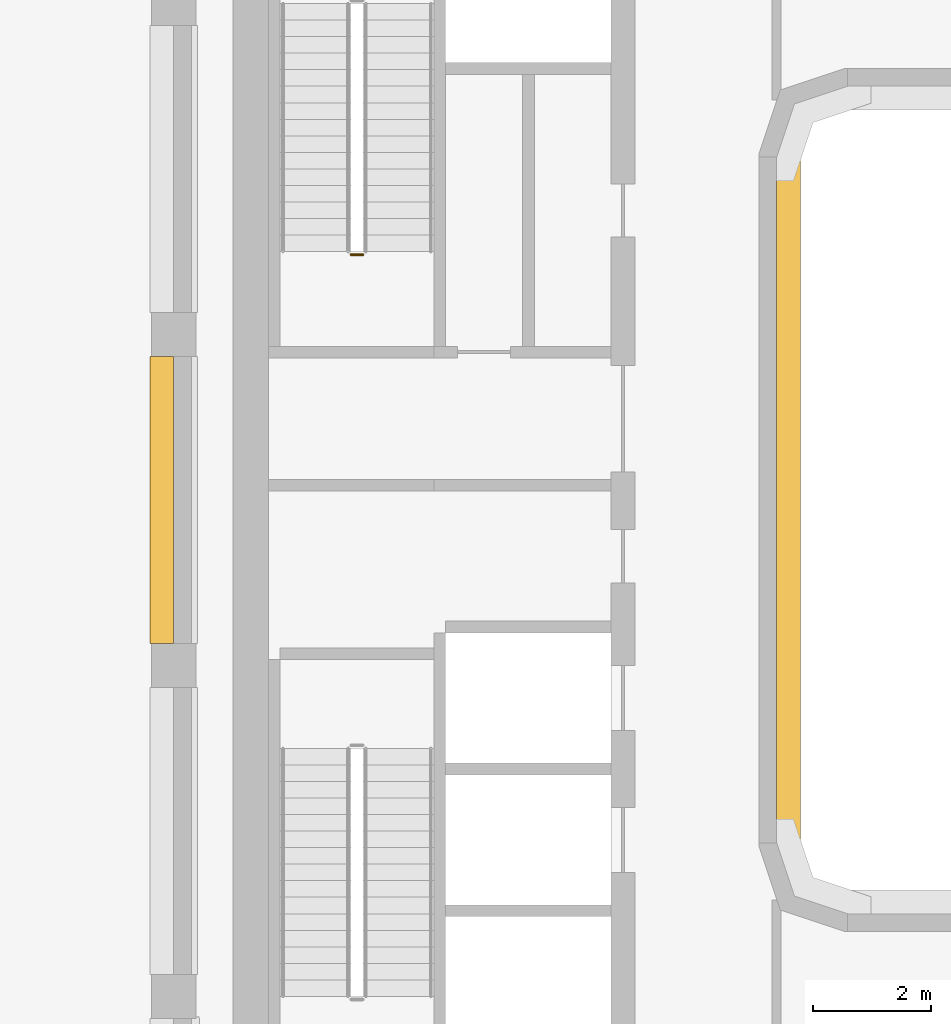
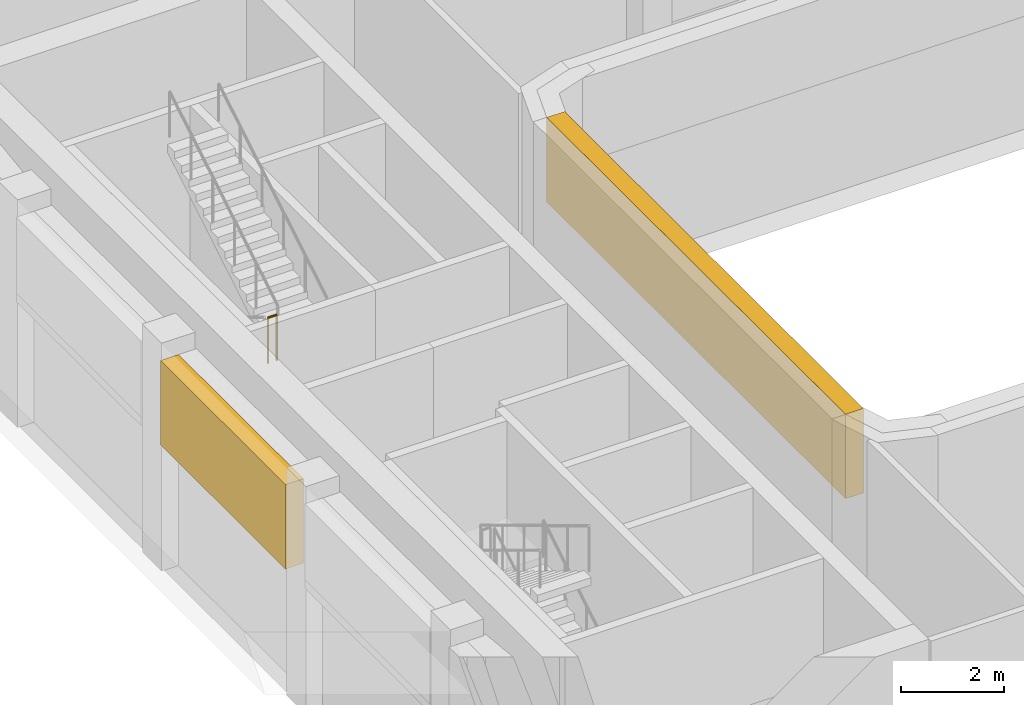
# One storey, part 12 of 17: 2 coverings, 1 railing.
"""IFC4 building model written with IfcOpenShell, lengths in metres."""

import ifcopenshell
import ifcopenshell.guid

model = None  # the IFC model being written
_history = None  # IfcOwnerHistory: only IFC2X3 demands one
_inside = {}  # id of a spatial element -> (the spatial element, [elements in it])
_under = {}  # id of a project, library or spatial element -> (it, [spatial elements below it])
_declared = {}  # id of a project -> (the project, [libraries it declares])
_typed = {}  # id of a type object -> (the type object, [elements of that type])
_made_of = {}  # id of a material, layer set ... -> (it, [elements and type objects made of it])


def new_model(schema):
    """Start an empty IFC model of exactly this schema.

    Asked for "IFC4X3", IfcOpenShell would pick the latest addendum, in which some entities
    have other attributes; the version numbers below select the first issue.
    IFC2X3 requires an IfcOwnerHistory on every rooted entity: one is made here for all.
    """
    global model, _history
    if schema == "IFC4X3":
        model = ifcopenshell.file(schema_version=(4, 3, 0, 0))
    else:
        model = ifcopenshell.file(schema=schema)
    _inside.clear()
    _under.clear()
    _declared.clear()
    _typed.clear()
    _made_of.clear()
    _history = None
    if model.schema == "IFC2X3":
        org = make("IfcOrganization", Name="unknown")
        user = make(
            "IfcPersonAndOrganization",
            ThePerson=make("IfcPerson", FamilyName="unknown"),
            TheOrganization=org,
        )
        app = make(
            "IfcApplication",
            ApplicationDeveloper=org,
            Version="unknown",
            ApplicationFullName="unknown",
            ApplicationIdentifier="unknown",
        )
        _history = make(
            "IfcOwnerHistory",
            OwningUser=user,
            OwningApplication=app,
            ChangeAction="ADDED",
            CreationDate=0,
        )
    return model


def make(cls, **values):
    """One entity of the class cls with the attributes given. An attribute that is None is left unset."""
    return model.create_entity(
        cls, **{name: value for name, value in values.items() if value is not None}
    )


def rooted(cls, **values):
    """An entity with a GlobalId (a new one), such as an element, a storey or a relation."""
    return make(cls, GlobalId=ifcopenshell.guid.new(), OwnerHistory=_history, **values)


def si_unit(unit_type, name, prefix=None):
    """IfcSIUnit, for example si_unit("LENGTHUNIT", "METRE", prefix="MILLI")."""
    return make("IfcSIUnit", UnitType=unit_type, Prefix=prefix, Name=name)


def assignment(units):
    """IfcUnitAssignment: the units of a project."""
    return None if units is None else make("IfcUnitAssignment", Units=units)


def point(xyz):
    """IfcCartesianPoint."""
    return None if xyz is None else make("IfcCartesianPoint", Coordinates=xyz)


def direction(xyz):
    """IfcDirection."""
    return None if xyz is None else make("IfcDirection", DirectionRatios=xyz)


def frame(location, z_axis=None, x_axis=None):
    """IfcAxis2Placement3D, a coordinate frame: its origin and axes. An axis left out is left unset."""
    return make(
        "IfcAxis2Placement3D",
        Location=point(location),
        Axis=direction(z_axis),
        RefDirection=direction(x_axis),
    )


def frame_2d(location, x_axis=None):
    """IfcAxis2Placement2D, a coordinate frame in the plane: its origin and x axis."""
    return make(
        "IfcAxis2Placement2D", Location=point(location), RefDirection=direction(x_axis)
    )


def origin():
    """The frame at (0, 0, 0) with its axes left unset."""
    return frame((0.0, 0.0, 0.0))


def origin_2d():
    """The frame at (0, 0) in the plane with its x axis left unset."""
    return frame_2d((0.0, 0.0))


def place(relative_to, where):
    """IfcLocalPlacement: puts the frame where relative to a parent placement (None: the world)."""
    return make(
        "IfcLocalPlacement", PlacementRelTo=relative_to, RelativePlacement=where
    )


def context(
    kind, dimensions, precision=None, world=None, true_north=None, identifier=None
):
    """IfcGeometricRepresentationContext, for example the 3D "Model" context."""
    return make(
        "IfcGeometricRepresentationContext",
        ContextIdentifier=identifier,
        ContextType=kind,
        CoordinateSpaceDimension=dimensions,
        Precision=precision,
        WorldCoordinateSystem=world,
        TrueNorth=true_north,
    )


def subcontext(parent, identifier, kind, view, scale=None):
    """IfcGeometricRepresentationSubContext, for example "Body" below "Model"."""
    return make(
        "IfcGeometricRepresentationSubContext",
        ContextIdentifier=identifier,
        ContextType=kind,
        ParentContext=parent,
        TargetScale=scale,
        TargetView=view,
    )


def project(units=None, contexts=None):
    """IfcProject with its units and contexts."""
    return rooted(
        "IfcProject",
        Name="project",
        RepresentationContexts=contexts,
        UnitsInContext=assignment(units),
    )


def spatial(cls, under=None, at=None, **own):
    """A site, building, storey or space (cls), placed at a placement, below another one or the project."""
    s = rooted(cls, ObjectPlacement=at, **own)
    if under is not None:
        _under.setdefault(under.id(), (under, []))[1].append(s)
    return s


def profile(cls, at=None, kind="AREA", **sizes):
    """A parametric profile (cls). Its sizes go by their IFC names, for example OverallWidth=200.0."""
    return make(cls, ProfileType=kind, Position=at, **sizes)


def rectangle(**sizes):
    """IfcRectangleProfileDef."""
    return profile("IfcRectangleProfileDef", **sizes)


def circle(**sizes):
    """IfcCircleProfileDef."""
    return profile("IfcCircleProfileDef", **sizes)


def extrude(swept, where, along, depth):
    """IfcExtrudedAreaSolid: the profile swept, set in the frame where, extruded along a direction by depth."""
    return make(
        "IfcExtrudedAreaSolid",
        SweptArea=swept,
        Position=where,
        ExtrudedDirection=direction(along),
        Depth=depth,
    )


def shape(context_of_items, identifier, shape_type, items):
    """IfcShapeRepresentation: the items that make up one representation, for example the "Body"."""
    return make(
        "IfcShapeRepresentation",
        ContextOfItems=context_of_items,
        RepresentationIdentifier=identifier,
        RepresentationType=shape_type,
        Items=items,
    )


def material(Name=None, Category=None):
    """IfcMaterial."""
    return make("IfcMaterial", Name=Name, Category=Category)


def made_of(thing, what):
    """Note that an element or type object is made of a material, layer set ...; save() writes the relation."""
    if what is not None:
        _made_of.setdefault(what.id(), (what, []))[1].append(thing)
    return thing


def type_object(cls, material=None, **own):
    """A type object (cls), such as IfcWallType, which elements share."""
    return made_of(rooted(cls, **own), material)


def element(
    cls,
    number,
    at=None,
    inside=None,
    cuts=None,
    type_object=None,
    material=None,
    context=None,
    identifier="Body",
    shape_type=None,
    held_by="IfcProductDefinitionShape",
    body=None,
    shapes=None,
    **own,
):
    """One element of the class cls, such as IfcWall. Its Tag is "e" and its number.

    at: its placement. inside: the storey or other place that contains it. cuts: it is an
    opening in that element (IfcRelVoidsElement). A single representation is given by context,
    identifier, shape_type and body (its items); several are given by shapes. held_by: the class
    of the entity that holds the representations. save() writes the other relations.
    """
    e = rooted(cls, Tag="e%d" % number, ObjectPlacement=at, **own)
    if body is not None:
        shapes = [shape(context, identifier, shape_type, body)]
    if shapes is not None:
        e.Representation = make(held_by, Representations=shapes)
    if inside is not None:
        _inside.setdefault(inside.id(), (inside, []))[1].append(e)
    if cuts is not None:
        rooted(
            "IfcRelVoidsElement", RelatingBuildingElement=cuts, RelatedOpeningElement=e
        )
    if type_object is not None:
        _typed.setdefault(type_object.id(), (type_object, []))[1].append(e)
    return made_of(e, material)


def aggregate(whole, parts):
    """IfcRelAggregates: a whole, such as a stair, and the parts it consists of."""
    return rooted("IfcRelAggregates", RelatingObject=whole, RelatedObjects=parts)


def save(model, path):
    """Write the relations noted so far, then the file.

    IfcRelAggregates (storeys below a building ...), IfcRelContainedInSpatialStructure (elements
    in a storey), IfcRelDefinesByType, IfcRelAssociatesMaterial and IfcRelDeclares: one each for
    every whole, place, type object, material and project.
    """
    for whole, parts in _under.values():
        aggregate(whole, parts)
    for where, things in _inside.values():
        rooted(
            "IfcRelContainedInSpatialStructure",
            RelatedElements=things,
            RelatingStructure=where,
        )
    for kind, things in _typed.values():
        rooted("IfcRelDefinesByType", RelatedObjects=things, RelatingType=kind)
    for what, things in _made_of.values():
        rooted("IfcRelAssociatesMaterial", RelatedObjects=things, RelatingMaterial=what)
    for by, libraries in _declared.values():
        rooted("IfcRelDeclares", RelatingContext=by, RelatedDefinitions=libraries)
    model.write(path)


model = new_model("IFC4")

# Units and contexts
model_context = context("Model", 3, precision=1e-05, world=origin(), true_north=direction((0.0, 1.0)))
body_context = subcontext(model_context, "Body", "Model", "MODEL_VIEW")
ifc_project = project(units=[si_unit("LENGTHUNIT", "METRE"), si_unit("AREAUNIT", "SQUARE_METRE"), si_unit("VOLUMEUNIT", "CUBIC_METRE"), si_unit("PLANEANGLEUNIT", "RADIAN"), si_unit("MASSUNIT", "GRAM", prefix="KILO")], contexts=[model_context])

# Site, building, storey
site_placement = place(None, origin())
site = spatial("IfcSite", under=ifc_project, at=site_placement, CompositionType="ELEMENT")
building_placement = place(site_placement, origin())
building = spatial("IfcBuilding", under=site, at=building_placement, Name="Kiln Ring Residences", CompositionType="ELEMENT")
storey_placement = place(building_placement, frame((0.0, 0.0, 289.10009765625)))
storey = spatial("IfcBuildingStorey", under=building, at=storey_placement, Name="L75", CompositionType="ELEMENT", Elevation=289.10009765625)

# Railing
ifc_material_1 = material(Name="Stainless steel", Category="steel")
railing_type = type_object("IfcRailingType", Name="CORE-STAIR-GUARD", PredefinedType="GUARDRAIL", material=ifc_material_1)
railing_placement = place(storey_placement, frame((-22.199951171875, 4.14990234375, 2.699951171875)))
element("IfcRailing", 1, at=railing_placement, inside=storey, type_object=railing_type, Name="L75 W-STN stair guard 2", PredefinedType="GUARDRAIL", context=body_context, shape_type="SweptSolid", body=[
    extrude(circle(Radius=0.02392578125, at=origin_2d()), frame((0.0, 0.0, 1.076171875), z_axis=(1.0, 0.0, 0.0), x_axis=(0.0, 1.0, 0.0)), (0.0, 0.0, 1.0), 0.199951171875),
    extrude(circle(Radius=0.02099609375, at=origin_2d()), origin(), (0.0, 0.0, 1.0), 1.052001953125),
    extrude(circle(Radius=0.02099609375, at=origin_2d()), frame((0.199951171875, 0.0, 0.0)), (0.0, 0.0, 1.0), 1.052001953125),
])

# Coverings
ifc_material_2 = material(Name="Concrete C35/45, exposed aggregate finish", Category="concrete")
covering_type = type_object("IfcCoveringType", Name="TIE BAND 2000 x 400", PredefinedType="CLADDING", material=ifc_material_2)
covering_1_placement = place(storey_placement, frame((-25.39990234375, 0.0, 3.0), z_axis=(0.0, 0.0, 1.0), x_axis=(0.0, -1.0, 0.0)))
element("IfcCovering", 2, at=covering_1_placement, inside=storey, type_object=covering_type, Name="TIE BAND L75", PredefinedType="CLADDING", context=body_context, shape_type="SweptSolid", body=[
    extrude(rectangle(XDim=4.85009765625, YDim=0.39990234375, at=origin_2d()), origin(), (0.0, 0.0, 1.0), 2.0),
])
covering_2_placement = place(storey_placement, frame((-14.800048828125, 0.0, 3.0), z_axis=(0.0, 0.0, 1.0), x_axis=(0.0, 1.0, 0.0)))
element("IfcCovering", 3, at=covering_2_placement, inside=storey, type_object=covering_type, Name="TIE BAND L75", PredefinedType="CLADDING", context=body_context, shape_type="SweptSolid", body=[
    extrude(rectangle(XDim=11.60009765625, YDim=0.39990234375, at=origin_2d()), origin(), (0.0, 0.0, 1.0), 2.0),
])

save(model, "model.ifc")
